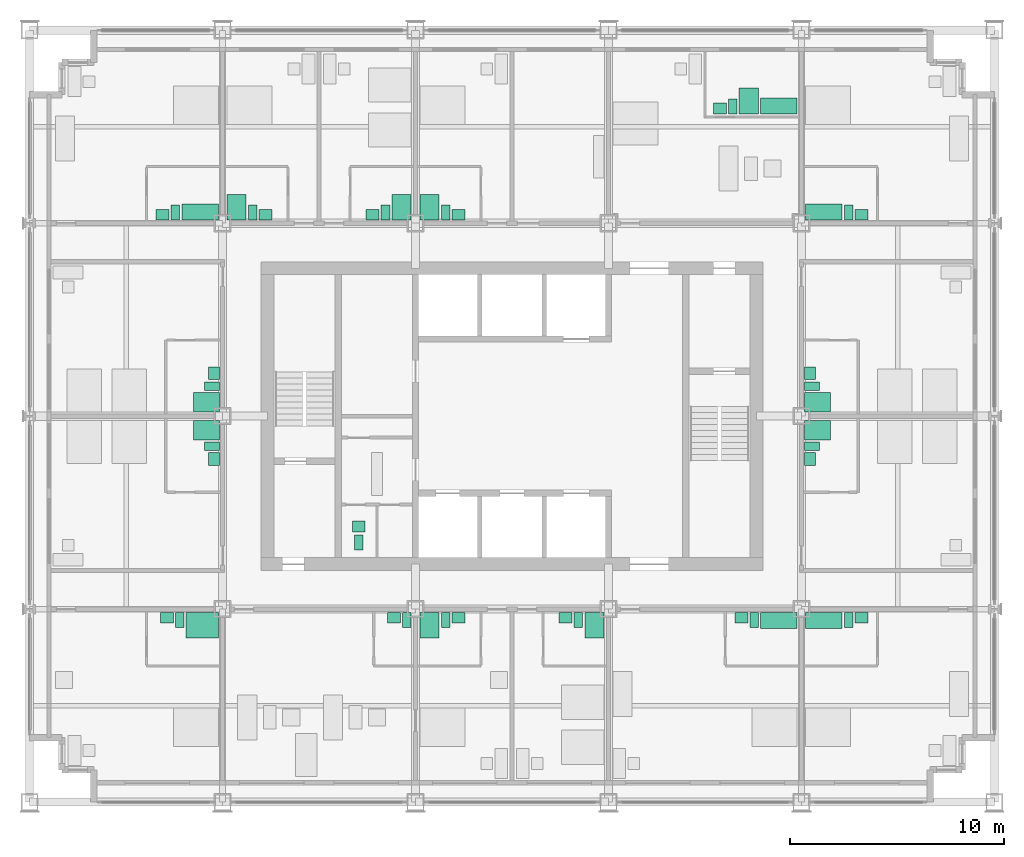
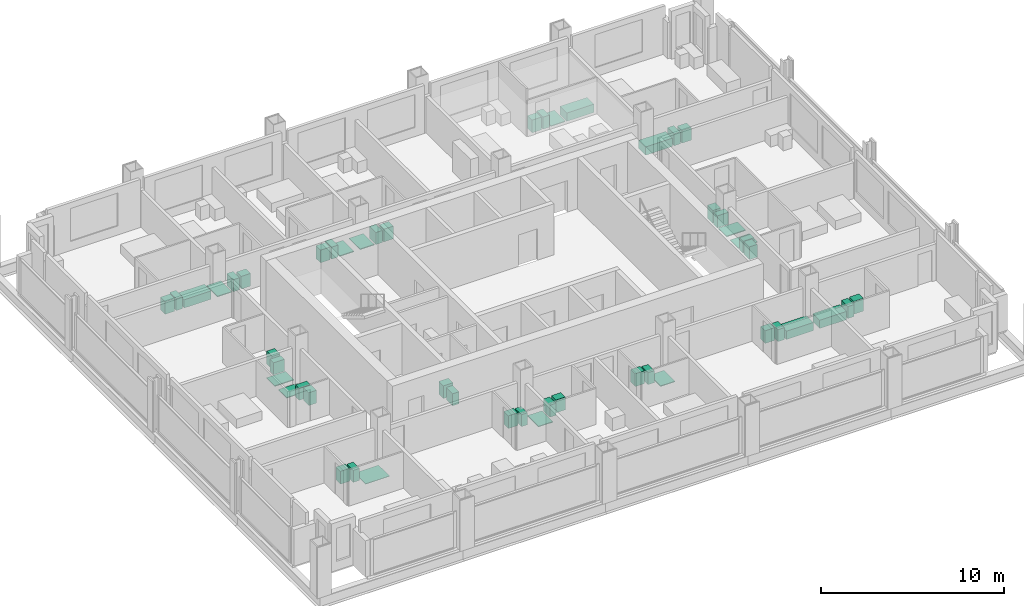
# One storey, part 15 of 16: 50 sanitary terminals.
"""IFC4 building model written with IfcOpenShell, lengths in metres."""

from ifc_helpers import new_model, si_unit, direction, frame, origin, origin_2d, place, context, subcontext, project, spatial, rectangle, extrude, element, save


model = new_model("IFC4")

# Units and contexts
model_context = context("Model", 3, precision=1e-05, world=origin(), true_north=direction((0.0, 1.0)))
body_context = subcontext(model_context, "Body", "Model", "MODEL_VIEW")
ifc_project = project(units=[si_unit("LENGTHUNIT", "METRE"), si_unit("AREAUNIT", "SQUARE_METRE"), si_unit("VOLUMEUNIT", "CUBIC_METRE"), si_unit("PLANEANGLEUNIT", "RADIAN"), si_unit("MASSUNIT", "GRAM", prefix="KILO")], contexts=[model_context])

# Site, building, storey
site_placement = place(None, origin())
site = spatial("IfcSite", under=ifc_project, at=site_placement, CompositionType="ELEMENT")
building_placement = place(site_placement, origin())
building = spatial("IfcBuilding", under=site, at=building_placement, Name="Loomwork Tower", CompositionType="ELEMENT")
storey_placement = place(building_placement, frame((0.0, 0.0, 135.0)))
storey = spatial("IfcBuildingStorey", under=building, at=storey_placement, Name="L36", CompositionType="ELEMENT", Elevation=135.0)

# Sanitary terminals
sanitary_terminal_1_placement = place(storey_placement, frame((8.050048828125, 8.25, 0.0), z_axis=(0.0, 0.0, 1.0), x_axis=(1.0, 0.0, 0.0)))
element("IfcSanitaryTerminal", 1, at=sanitary_terminal_1_placement, inside=storey, Name="Roll-in shower floor L36", PredefinedType="SHOWER", context=body_context, shape_type="SweptSolid", body=[
    extrude(rectangle(XDim=1.5, YDim=1.199951171875, at=origin_2d()), origin(), (0.0, 0.0, 1.0), 0.030029296875),
])
sanitary_terminal_2_placement = place(storey_placement, frame((7.0, 8.5, 0.0), z_axis=(0.0, 0.0, 1.0), x_axis=(1.0, 0.0, 0.0)))
element("IfcSanitaryTerminal", 2, at=sanitary_terminal_2_placement, inside=storey, Name="WC L36", PredefinedType="TOILETPAN", context=body_context, shape_type="SweptSolid", body=[
    extrude(rectangle(XDim=0.39990234375, YDim=0.699951171875, at=origin_2d()), origin(), (0.0, 0.0, 1.0), 0.800048828125),
])
sanitary_terminal_3_placement = place(storey_placement, frame((6.39990234375, 8.60009765625, 0.0), z_axis=(0.0, 0.0, 1.0), x_axis=(1.0, 0.0, 0.0)))
element("IfcSanitaryTerminal", 3, at=sanitary_terminal_3_placement, inside=storey, Name="Basin vanity L36", PredefinedType="WASHHANDBASIN", context=body_context, shape_type="SweptSolid", body=[
    extrude(rectangle(XDim=0.60009765625, YDim=0.5, at=origin_2d()), origin(), (0.0, 0.0, 1.0), 0.85009765625),
])
sanitary_terminal_4_placement = place(storey_placement, frame((17.60009765625, 8.5, 0.0), z_axis=(0.0, 0.0, 1.0), x_axis=(1.0, 0.0, 0.0)))
element("IfcSanitaryTerminal", 4, at=sanitary_terminal_4_placement, inside=storey, Name="WC L36", PredefinedType="TOILETPAN", context=body_context, shape_type="SweptSolid", body=[
    extrude(rectangle(XDim=0.39990234375, YDim=0.699951171875, at=origin_2d()), origin(), (0.0, 0.0, 1.0), 0.800048828125),
])
sanitary_terminal_5_placement = place(storey_placement, frame((17.0, 8.60009765625, 0.0), z_axis=(0.0, 0.0, 1.0), x_axis=(1.0, 0.0, 0.0)))
element("IfcSanitaryTerminal", 5, at=sanitary_terminal_5_placement, inside=storey, Name="Basin vanity L36", PredefinedType="WASHHANDBASIN", context=body_context, shape_type="SweptSolid", body=[
    extrude(rectangle(XDim=0.60009765625, YDim=0.5, at=origin_2d()), origin(), (0.0, 0.0, 1.0), 0.85009765625),
])
sanitary_terminal_6_placement = place(storey_placement, frame((18.64990234375, 8.25, 0.0), z_axis=(0.0, 0.0, 1.0), x_axis=(1.0, 0.0, 0.0)))
element("IfcSanitaryTerminal", 6, at=sanitary_terminal_6_placement, inside=storey, Name="Shower tray L36", PredefinedType="SHOWER", context=body_context, shape_type="SweptSolid", body=[
    extrude(rectangle(XDim=0.89990234375, YDim=1.199951171875, at=origin_2d()), origin(), (0.0, 0.0, 1.0), 0.050048828125),
])
sanitary_terminal_7_placement = place(storey_placement, frame((19.39990234375, 8.5, 0.0), z_axis=(0.0, 0.0, 1.0), x_axis=(1.0, 0.0, 0.0)))
element("IfcSanitaryTerminal", 7, at=sanitary_terminal_7_placement, inside=storey, Name="WC L36", PredefinedType="TOILETPAN", context=body_context, shape_type="SweptSolid", body=[
    extrude(rectangle(XDim=0.39990234375, YDim=0.699951171875, at=origin_2d()), origin(), (0.0, 0.0, 1.0), 0.800048828125),
])
sanitary_terminal_8_placement = place(storey_placement, frame((20.0, 8.60009765625, 0.0), z_axis=(0.0, 0.0, 1.0), x_axis=(1.0, 0.0, 0.0)))
element("IfcSanitaryTerminal", 8, at=sanitary_terminal_8_placement, inside=storey, Name="Basin vanity L36", PredefinedType="WASHHANDBASIN", context=body_context, shape_type="SweptSolid", body=[
    extrude(rectangle(XDim=0.60009765625, YDim=0.5, at=origin_2d()), origin(), (0.0, 0.0, 1.0), 0.85009765625),
])
sanitary_terminal_9_placement = place(storey_placement, frame((26.35009765625, 8.25, 0.0), z_axis=(0.0, 0.0, 1.0), x_axis=(1.0, 0.0, 0.0)))
element("IfcSanitaryTerminal", 9, at=sanitary_terminal_9_placement, inside=storey, Name="Shower tray L36", PredefinedType="SHOWER", context=body_context, shape_type="SweptSolid", body=[
    extrude(rectangle(XDim=0.89990234375, YDim=1.199951171875, at=origin_2d()), origin(), (0.0, 0.0, 1.0), 0.050048828125),
])
sanitary_terminal_10_placement = place(storey_placement, frame((25.60009765625, 8.5, 0.0), z_axis=(0.0, 0.0, 1.0), x_axis=(1.0, 0.0, 0.0)))
element("IfcSanitaryTerminal", 10, at=sanitary_terminal_10_placement, inside=storey, Name="WC L36", PredefinedType="TOILETPAN", context=body_context, shape_type="SweptSolid", body=[
    extrude(rectangle(XDim=0.39990234375, YDim=0.699951171875, at=origin_2d()), origin(), (0.0, 0.0, 1.0), 0.800048828125),
])
sanitary_terminal_11_placement = place(storey_placement, frame((25.0, 8.60009765625, 0.0), z_axis=(0.0, 0.0, 1.0), x_axis=(1.0, 0.0, 0.0)))
element("IfcSanitaryTerminal", 11, at=sanitary_terminal_11_placement, inside=storey, Name="Basin vanity L36", PredefinedType="WASHHANDBASIN", context=body_context, shape_type="SweptSolid", body=[
    extrude(rectangle(XDim=0.60009765625, YDim=0.5, at=origin_2d()), origin(), (0.0, 0.0, 1.0), 0.85009765625),
])
sanitary_terminal_12_placement = place(storey_placement, frame((34.949951171875, 8.47509765625, 0.0), z_axis=(0.0, 0.0, 1.0), x_axis=(1.0, 0.0, 0.0)))
element("IfcSanitaryTerminal", 12, at=sanitary_terminal_12_placement, inside=storey, Name="Bath L36", PredefinedType="BATH", context=body_context, shape_type="SweptSolid", body=[
    extrude(rectangle(XDim=1.699951171875, YDim=0.75, at=origin_2d()), origin(), (0.0, 0.0, 1.0), 0.550048828125),
])
sanitary_terminal_13_placement = place(storey_placement, frame((33.800048828125, 8.5, 0.0), z_axis=(0.0, 0.0, 1.0), x_axis=(1.0, 0.0, 0.0)))
element("IfcSanitaryTerminal", 13, at=sanitary_terminal_13_placement, inside=storey, Name="WC L36", PredefinedType="TOILETPAN", context=body_context, shape_type="SweptSolid", body=[
    extrude(rectangle(XDim=0.39990234375, YDim=0.699951171875, at=origin_2d()), origin(), (0.0, 0.0, 1.0), 0.800048828125),
])
sanitary_terminal_14_placement = place(storey_placement, frame((33.199951171875, 8.60009765625, 0.0), z_axis=(0.0, 0.0, 1.0), x_axis=(1.0, 0.0, 0.0)))
element("IfcSanitaryTerminal", 14, at=sanitary_terminal_14_placement, inside=storey, Name="Basin vanity L36", PredefinedType="WASHHANDBASIN", context=body_context, shape_type="SweptSolid", body=[
    extrude(rectangle(XDim=0.60009765625, YDim=0.5, at=origin_2d()), origin(), (0.0, 0.0, 1.0), 0.85009765625),
])
sanitary_terminal_15_placement = place(storey_placement, frame((37.050048828125, 8.47509765625, 0.0), z_axis=(0.0, 0.0, 1.0), x_axis=(1.0, 0.0, 0.0)))
element("IfcSanitaryTerminal", 15, at=sanitary_terminal_15_placement, inside=storey, Name="Bath L36", PredefinedType="BATH", context=body_context, shape_type="SweptSolid", body=[
    extrude(rectangle(XDim=1.699951171875, YDim=0.75, at=origin_2d()), origin(), (0.0, 0.0, 1.0), 0.550048828125),
])
sanitary_terminal_16_placement = place(storey_placement, frame((38.199951171875, 8.5, 0.0), z_axis=(0.0, 0.0, 1.0), x_axis=(1.0, 0.0, 0.0)))
element("IfcSanitaryTerminal", 16, at=sanitary_terminal_16_placement, inside=storey, Name="WC L36", PredefinedType="TOILETPAN", context=body_context, shape_type="SweptSolid", body=[
    extrude(rectangle(XDim=0.39990234375, YDim=0.699951171875, at=origin_2d()), origin(), (0.0, 0.0, 1.0), 0.800048828125),
])
sanitary_terminal_17_placement = place(storey_placement, frame((38.800048828125, 8.60009765625, 0.0), z_axis=(0.0, 0.0, 1.0), x_axis=(1.0, 0.0, 0.0)))
element("IfcSanitaryTerminal", 17, at=sanitary_terminal_17_placement, inside=storey, Name="Basin vanity L36", PredefinedType="WASHHANDBASIN", context=body_context, shape_type="SweptSolid", body=[
    extrude(rectangle(XDim=0.60009765625, YDim=0.5, at=origin_2d()), origin(), (0.0, 0.0, 1.0), 0.85009765625),
])
sanitary_terminal_18_placement = place(storey_placement, frame((7.949951171875, 27.52490234375, 0.0), z_axis=(0.0, 0.0, 1.0), x_axis=(1.0, 0.0, 0.0)))
element("IfcSanitaryTerminal", 18, at=sanitary_terminal_18_placement, inside=storey, Name="Bath L36", PredefinedType="BATH", context=body_context, shape_type="SweptSolid", body=[
    extrude(rectangle(XDim=1.699951171875, YDim=0.75, at=origin_2d()), origin(), (0.0, 0.0, 1.0), 0.550048828125),
])
sanitary_terminal_19_placement = place(storey_placement, frame((6.800048828125, 27.5, 0.0), z_axis=(0.0, 0.0, 1.0), x_axis=(1.0, 0.0, 0.0)))
element("IfcSanitaryTerminal", 19, at=sanitary_terminal_19_placement, inside=storey, Name="WC L36", PredefinedType="TOILETPAN", context=body_context, shape_type="SweptSolid", body=[
    extrude(rectangle(XDim=0.39990234375, YDim=0.699951171875, at=origin_2d()), origin(), (0.0, 0.0, 1.0), 0.800048828125),
])
sanitary_terminal_20_placement = place(storey_placement, frame((6.199951171875, 27.39990234375, 0.0), z_axis=(0.0, 0.0, 1.0), x_axis=(1.0, 0.0, 0.0)))
element("IfcSanitaryTerminal", 20, at=sanitary_terminal_20_placement, inside=storey, Name="Basin vanity L36", PredefinedType="WASHHANDBASIN", context=body_context, shape_type="SweptSolid", body=[
    extrude(rectangle(XDim=0.60009765625, YDim=0.5, at=origin_2d()), origin(), (0.0, 0.0, 1.0), 0.85009765625),
])
sanitary_terminal_21_placement = place(storey_placement, frame((9.64990234375, 27.75, 0.0), z_axis=(0.0, 0.0, 1.0), x_axis=(1.0, 0.0, 0.0)))
element("IfcSanitaryTerminal", 21, at=sanitary_terminal_21_placement, inside=storey, Name="Shower tray L36", PredefinedType="SHOWER", context=body_context, shape_type="SweptSolid", body=[
    extrude(rectangle(XDim=0.89990234375, YDim=1.199951171875, at=origin_2d()), origin(), (0.0, 0.0, 1.0), 0.050048828125),
])
sanitary_terminal_22_placement = place(storey_placement, frame((10.39990234375, 27.5, 0.0), z_axis=(0.0, 0.0, 1.0), x_axis=(1.0, 0.0, 0.0)))
element("IfcSanitaryTerminal", 22, at=sanitary_terminal_22_placement, inside=storey, Name="WC L36", PredefinedType="TOILETPAN", context=body_context, shape_type="SweptSolid", body=[
    extrude(rectangle(XDim=0.39990234375, YDim=0.699951171875, at=origin_2d()), origin(), (0.0, 0.0, 1.0), 0.800048828125),
])
sanitary_terminal_23_placement = place(storey_placement, frame((11.0, 27.39990234375, 0.0), z_axis=(0.0, 0.0, 1.0), x_axis=(1.0, 0.0, 0.0)))
element("IfcSanitaryTerminal", 23, at=sanitary_terminal_23_placement, inside=storey, Name="Basin vanity L36", PredefinedType="WASHHANDBASIN", context=body_context, shape_type="SweptSolid", body=[
    extrude(rectangle(XDim=0.60009765625, YDim=0.5, at=origin_2d()), origin(), (0.0, 0.0, 1.0), 0.85009765625),
])
sanitary_terminal_24_placement = place(storey_placement, frame((17.35009765625, 27.75, 0.0), z_axis=(0.0, 0.0, 1.0), x_axis=(1.0, 0.0, 0.0)))
element("IfcSanitaryTerminal", 24, at=sanitary_terminal_24_placement, inside=storey, Name="Shower tray L36", PredefinedType="SHOWER", context=body_context, shape_type="SweptSolid", body=[
    extrude(rectangle(XDim=0.89990234375, YDim=1.199951171875, at=origin_2d()), origin(), (0.0, 0.0, 1.0), 0.050048828125),
])
sanitary_terminal_25_placement = place(storey_placement, frame((16.60009765625, 27.5, 0.0), z_axis=(0.0, 0.0, 1.0), x_axis=(1.0, 0.0, 0.0)))
element("IfcSanitaryTerminal", 25, at=sanitary_terminal_25_placement, inside=storey, Name="WC L36", PredefinedType="TOILETPAN", context=body_context, shape_type="SweptSolid", body=[
    extrude(rectangle(XDim=0.39990234375, YDim=0.699951171875, at=origin_2d()), origin(), (0.0, 0.0, 1.0), 0.800048828125),
])
sanitary_terminal_26_placement = place(storey_placement, frame((16.0, 27.39990234375, 0.0), z_axis=(0.0, 0.0, 1.0), x_axis=(1.0, 0.0, 0.0)))
element("IfcSanitaryTerminal", 26, at=sanitary_terminal_26_placement, inside=storey, Name="Basin vanity L36", PredefinedType="WASHHANDBASIN", context=body_context, shape_type="SweptSolid", body=[
    extrude(rectangle(XDim=0.60009765625, YDim=0.5, at=origin_2d()), origin(), (0.0, 0.0, 1.0), 0.85009765625),
])
sanitary_terminal_27_placement = place(storey_placement, frame((18.64990234375, 27.75, 0.0), z_axis=(0.0, 0.0, 1.0), x_axis=(1.0, 0.0, 0.0)))
element("IfcSanitaryTerminal", 27, at=sanitary_terminal_27_placement, inside=storey, Name="Shower tray L36", PredefinedType="SHOWER", context=body_context, shape_type="SweptSolid", body=[
    extrude(rectangle(XDim=0.89990234375, YDim=1.199951171875, at=origin_2d()), origin(), (0.0, 0.0, 1.0), 0.050048828125),
])
sanitary_terminal_28_placement = place(storey_placement, frame((19.39990234375, 27.5, 0.0), z_axis=(0.0, 0.0, 1.0), x_axis=(1.0, 0.0, 0.0)))
element("IfcSanitaryTerminal", 28, at=sanitary_terminal_28_placement, inside=storey, Name="WC L36", PredefinedType="TOILETPAN", context=body_context, shape_type="SweptSolid", body=[
    extrude(rectangle(XDim=0.39990234375, YDim=0.699951171875, at=origin_2d()), origin(), (0.0, 0.0, 1.0), 0.800048828125),
])
sanitary_terminal_29_placement = place(storey_placement, frame((20.0, 27.39990234375, 0.0), z_axis=(0.0, 0.0, 1.0), x_axis=(1.0, 0.0, 0.0)))
element("IfcSanitaryTerminal", 29, at=sanitary_terminal_29_placement, inside=storey, Name="Basin vanity L36", PredefinedType="WASHHANDBASIN", context=body_context, shape_type="SweptSolid", body=[
    extrude(rectangle(XDim=0.60009765625, YDim=0.5, at=origin_2d()), origin(), (0.0, 0.0, 1.0), 0.85009765625),
])
sanitary_terminal_30_placement = place(storey_placement, frame((34.949951171875, 32.47509765625, 0.0), z_axis=(0.0, 0.0, 1.0), x_axis=(1.0, 0.0, 0.0)))
element("IfcSanitaryTerminal", 30, at=sanitary_terminal_30_placement, inside=storey, Name="Bath L36", PredefinedType="BATH", context=body_context, shape_type="SweptSolid", body=[
    extrude(rectangle(XDim=1.699951171875, YDim=0.75, at=origin_2d()), origin(), (0.0, 0.0, 1.0), 0.550048828125),
])
sanitary_terminal_31_placement = place(storey_placement, frame((33.550048828125, 32.699951171875, 0.0), z_axis=(0.0, 0.0, 1.0), x_axis=(1.0, 0.0, 0.0)))
element("IfcSanitaryTerminal", 31, at=sanitary_terminal_31_placement, inside=storey, Name="Shower tray L36", PredefinedType="SHOWER", context=body_context, shape_type="SweptSolid", body=[
    extrude(rectangle(XDim=0.89990234375, YDim=1.199951171875, at=origin_2d()), origin(), (0.0, 0.0, 1.0), 0.050048828125),
])
sanitary_terminal_32_placement = place(storey_placement, frame((32.800048828125, 32.449951171875, 0.0), z_axis=(0.0, 0.0, 1.0), x_axis=(1.0, 0.0, 0.0)))
element("IfcSanitaryTerminal", 32, at=sanitary_terminal_32_placement, inside=storey, Name="WC L36", PredefinedType="TOILETPAN", context=body_context, shape_type="SweptSolid", body=[
    extrude(rectangle(XDim=0.39990234375, YDim=0.699951171875, at=origin_2d()), origin(), (0.0, 0.0, 1.0), 0.800048828125),
])
sanitary_terminal_33_placement = place(storey_placement, frame((32.199951171875, 32.35009765625, 0.0), z_axis=(0.0, 0.0, 1.0), x_axis=(1.0, 0.0, 0.0)))
element("IfcSanitaryTerminal", 33, at=sanitary_terminal_33_placement, inside=storey, Name="Basin vanity L36", PredefinedType="WASHHANDBASIN", context=body_context, shape_type="SweptSolid", body=[
    extrude(rectangle(XDim=0.60009765625, YDim=0.5, at=origin_2d()), origin(), (0.0, 0.0, 1.0), 0.85009765625),
])
sanitary_terminal_34_placement = place(storey_placement, frame((37.050048828125, 27.52490234375, 0.0), z_axis=(0.0, 0.0, 1.0), x_axis=(1.0, 0.0, 0.0)))
element("IfcSanitaryTerminal", 34, at=sanitary_terminal_34_placement, inside=storey, Name="Bath L36", PredefinedType="BATH", context=body_context, shape_type="SweptSolid", body=[
    extrude(rectangle(XDim=1.699951171875, YDim=0.75, at=origin_2d()), origin(), (0.0, 0.0, 1.0), 0.550048828125),
])
sanitary_terminal_35_placement = place(storey_placement, frame((38.199951171875, 27.5, 0.0), z_axis=(0.0, 0.0, 1.0), x_axis=(1.0, 0.0, 0.0)))
element("IfcSanitaryTerminal", 35, at=sanitary_terminal_35_placement, inside=storey, Name="WC L36", PredefinedType="TOILETPAN", context=body_context, shape_type="SweptSolid", body=[
    extrude(rectangle(XDim=0.39990234375, YDim=0.699951171875, at=origin_2d()), origin(), (0.0, 0.0, 1.0), 0.800048828125),
])
sanitary_terminal_36_placement = place(storey_placement, frame((38.800048828125, 27.39990234375, 0.0), z_axis=(0.0, 0.0, 1.0), x_axis=(1.0, 0.0, 0.0)))
element("IfcSanitaryTerminal", 36, at=sanitary_terminal_36_placement, inside=storey, Name="Basin vanity L36", PredefinedType="WASHHANDBASIN", context=body_context, shape_type="SweptSolid", body=[
    extrude(rectangle(XDim=0.60009765625, YDim=0.5, at=origin_2d()), origin(), (0.0, 0.0, 1.0), 0.85009765625),
])
sanitary_terminal_37_placement = place(storey_placement, frame((8.25, 17.35009765625, 0.0), z_axis=(0.0, 0.0, 1.0), x_axis=(1.0, 0.0, 0.0)))
element("IfcSanitaryTerminal", 37, at=sanitary_terminal_37_placement, inside=storey, Name="Shower tray L36", PredefinedType="SHOWER", context=body_context, shape_type="SweptSolid", body=[
    extrude(rectangle(XDim=1.199951171875, YDim=0.89990234375, at=origin_2d()), origin(), (0.0, 0.0, 1.0), 0.050048828125),
])
sanitary_terminal_38_placement = place(storey_placement, frame((8.5, 16.60009765625, 0.0), z_axis=(0.0, 0.0, 1.0), x_axis=(1.0, 0.0, 0.0)))
element("IfcSanitaryTerminal", 38, at=sanitary_terminal_38_placement, inside=storey, Name="WC L36", PredefinedType="TOILETPAN", context=body_context, shape_type="SweptSolid", body=[
    extrude(rectangle(XDim=0.699951171875, YDim=0.39990234375, at=origin_2d()), origin(), (0.0, 0.0, 1.0), 0.800048828125),
])
sanitary_terminal_39_placement = place(storey_placement, frame((8.60009765625, 16.0, 0.0), z_axis=(0.0, 0.0, 1.0), x_axis=(1.0, 0.0, 0.0)))
element("IfcSanitaryTerminal", 39, at=sanitary_terminal_39_placement, inside=storey, Name="Basin vanity L36", PredefinedType="WASHHANDBASIN", context=body_context, shape_type="SweptSolid", body=[
    extrude(rectangle(XDim=0.5, YDim=0.60009765625, at=origin_2d()), origin(), (0.0, 0.0, 1.0), 0.85009765625),
])
sanitary_terminal_40_placement = place(storey_placement, frame((8.25, 18.64990234375, 0.0), z_axis=(0.0, 0.0, 1.0), x_axis=(1.0, 0.0, 0.0)))
element("IfcSanitaryTerminal", 40, at=sanitary_terminal_40_placement, inside=storey, Name="Shower tray L36", PredefinedType="SHOWER", context=body_context, shape_type="SweptSolid", body=[
    extrude(rectangle(XDim=1.199951171875, YDim=0.89990234375, at=origin_2d()), origin(), (0.0, 0.0, 1.0), 0.050048828125),
])
sanitary_terminal_41_placement = place(storey_placement, frame((8.5, 19.39990234375, 0.0), z_axis=(0.0, 0.0, 1.0), x_axis=(1.0, 0.0, 0.0)))
element("IfcSanitaryTerminal", 41, at=sanitary_terminal_41_placement, inside=storey, Name="WC L36", PredefinedType="TOILETPAN", context=body_context, shape_type="SweptSolid", body=[
    extrude(rectangle(XDim=0.699951171875, YDim=0.39990234375, at=origin_2d()), origin(), (0.0, 0.0, 1.0), 0.800048828125),
])
sanitary_terminal_42_placement = place(storey_placement, frame((8.60009765625, 20.0, 0.0), z_axis=(0.0, 0.0, 1.0), x_axis=(1.0, 0.0, 0.0)))
element("IfcSanitaryTerminal", 42, at=sanitary_terminal_42_placement, inside=storey, Name="Basin vanity L36", PredefinedType="WASHHANDBASIN", context=body_context, shape_type="SweptSolid", body=[
    extrude(rectangle(XDim=0.5, YDim=0.60009765625, at=origin_2d()), origin(), (0.0, 0.0, 1.0), 0.85009765625),
])
sanitary_terminal_43_placement = place(storey_placement, frame((36.75, 17.35009765625, 0.0), z_axis=(0.0, 0.0, 1.0), x_axis=(1.0, 0.0, 0.0)))
element("IfcSanitaryTerminal", 43, at=sanitary_terminal_43_placement, inside=storey, Name="Shower tray L36", PredefinedType="SHOWER", context=body_context, shape_type="SweptSolid", body=[
    extrude(rectangle(XDim=1.199951171875, YDim=0.89990234375, at=origin_2d()), origin(), (0.0, 0.0, 1.0), 0.050048828125),
])
sanitary_terminal_44_placement = place(storey_placement, frame((36.5, 16.60009765625, 0.0), z_axis=(0.0, 0.0, 1.0), x_axis=(1.0, 0.0, 0.0)))
element("IfcSanitaryTerminal", 44, at=sanitary_terminal_44_placement, inside=storey, Name="WC L36", PredefinedType="TOILETPAN", context=body_context, shape_type="SweptSolid", body=[
    extrude(rectangle(XDim=0.699951171875, YDim=0.39990234375, at=origin_2d()), origin(), (0.0, 0.0, 1.0), 0.800048828125),
])
sanitary_terminal_45_placement = place(storey_placement, frame((36.39990234375, 16.0, 0.0), z_axis=(0.0, 0.0, 1.0), x_axis=(1.0, 0.0, 0.0)))
element("IfcSanitaryTerminal", 45, at=sanitary_terminal_45_placement, inside=storey, Name="Basin vanity L36", PredefinedType="WASHHANDBASIN", context=body_context, shape_type="SweptSolid", body=[
    extrude(rectangle(XDim=0.5, YDim=0.60009765625, at=origin_2d()), origin(), (0.0, 0.0, 1.0), 0.85009765625),
])
sanitary_terminal_46_placement = place(storey_placement, frame((36.75, 18.64990234375, 0.0), z_axis=(0.0, 0.0, 1.0), x_axis=(1.0, 0.0, 0.0)))
element("IfcSanitaryTerminal", 46, at=sanitary_terminal_46_placement, inside=storey, Name="Shower tray L36", PredefinedType="SHOWER", context=body_context, shape_type="SweptSolid", body=[
    extrude(rectangle(XDim=1.199951171875, YDim=0.89990234375, at=origin_2d()), origin(), (0.0, 0.0, 1.0), 0.050048828125),
])
sanitary_terminal_47_placement = place(storey_placement, frame((36.5, 19.39990234375, 0.0), z_axis=(0.0, 0.0, 1.0), x_axis=(1.0, 0.0, 0.0)))
element("IfcSanitaryTerminal", 47, at=sanitary_terminal_47_placement, inside=storey, Name="WC L36", PredefinedType="TOILETPAN", context=body_context, shape_type="SweptSolid", body=[
    extrude(rectangle(XDim=0.699951171875, YDim=0.39990234375, at=origin_2d()), origin(), (0.0, 0.0, 1.0), 0.800048828125),
])
sanitary_terminal_48_placement = place(storey_placement, frame((36.39990234375, 20.0, 0.0), z_axis=(0.0, 0.0, 1.0), x_axis=(1.0, 0.0, 0.0)))
element("IfcSanitaryTerminal", 48, at=sanitary_terminal_48_placement, inside=storey, Name="Basin vanity L36", PredefinedType="WASHHANDBASIN", context=body_context, shape_type="SweptSolid", body=[
    extrude(rectangle(XDim=0.5, YDim=0.60009765625, at=origin_2d()), origin(), (0.0, 0.0, 1.0), 0.85009765625),
])
sanitary_terminal_49_placement = place(storey_placement, frame((15.35009765625, 12.10009765625, 0.0), z_axis=(0.0, 0.0, 1.0), x_axis=(1.0, 0.0, 0.0)))
element("IfcSanitaryTerminal", 49, at=sanitary_terminal_49_placement, inside=storey, Name="WC L36", PredefinedType="TOILETPAN", context=body_context, shape_type="SweptSolid", body=[
    extrude(rectangle(XDim=0.39990234375, YDim=0.699951171875, at=origin_2d()), origin(), (0.0, 0.0, 1.0), 0.800048828125),
])
sanitary_terminal_50_placement = place(storey_placement, frame((15.35009765625, 12.85009765625, 0.0), z_axis=(0.0, 0.0, 1.0), x_axis=(1.0, 0.0, 0.0)))
element("IfcSanitaryTerminal", 50, at=sanitary_terminal_50_placement, inside=storey, Name="Basin L36", PredefinedType="WASHHANDBASIN", context=body_context, shape_type="SweptSolid", body=[
    extrude(rectangle(XDim=0.60009765625, YDim=0.5, at=origin_2d()), origin(), (0.0, 0.0, 1.0), 0.85009765625),
])

save(model, "model.ifc")
